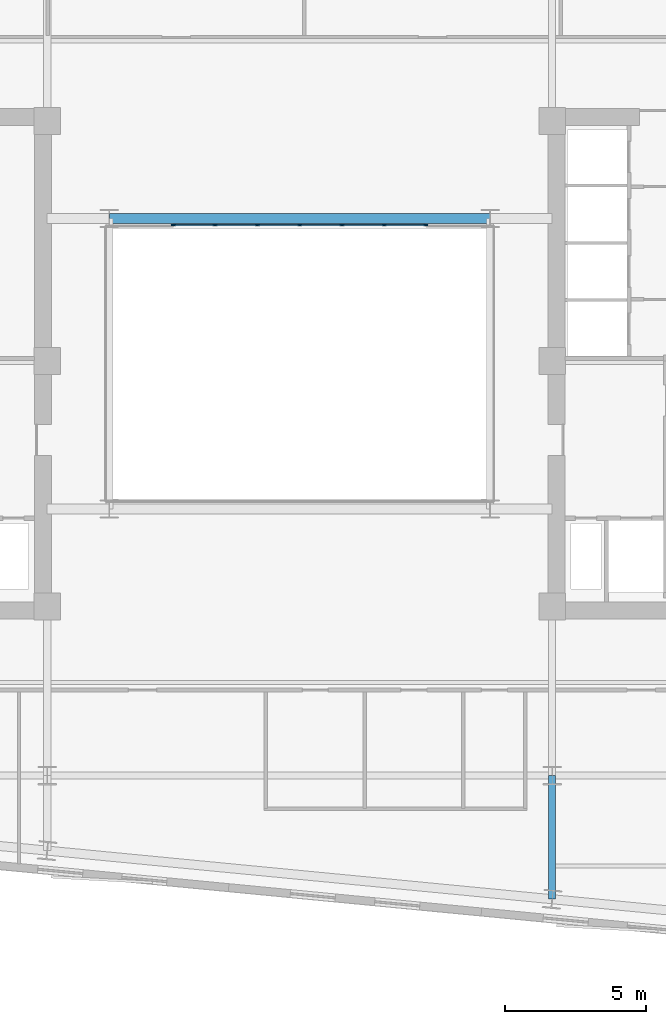
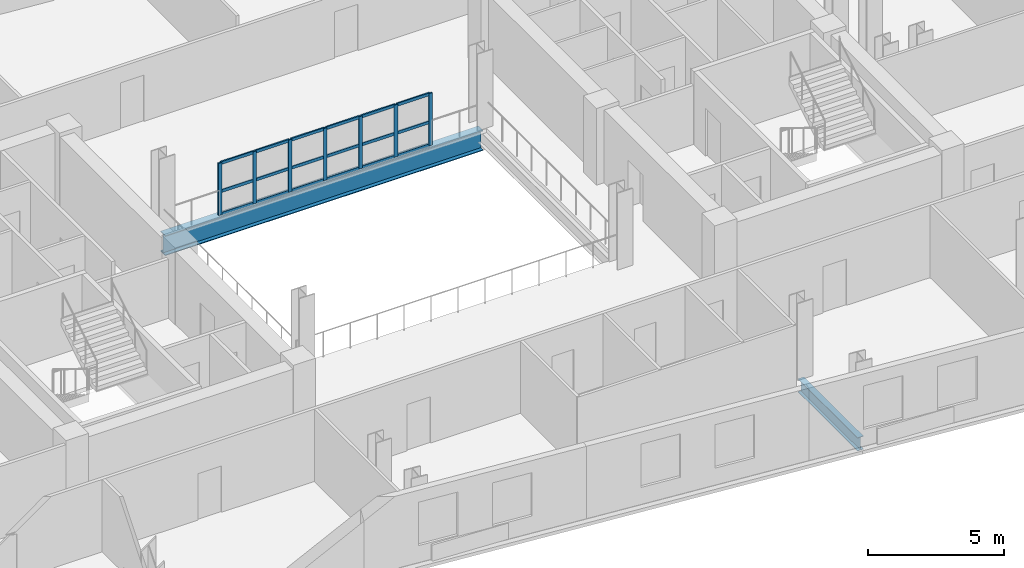
# One storey, part 2 of 10: 25 members, 2 beams, 1 element without a shape of its own.
"""IFC4 building model written with IfcOpenShell, lengths in metres."""

from ifc_helpers import new_model, si_unit, direction, frame, origin, origin_2d, place, context, subcontext, project, spatial, rectangle, i_section, extrude, material, layer, layer_set, material_profile, profile_set, type_object, element, aggregate, save


model = new_model("IFC4")

# Units and contexts
model_context = context("Model", 3, precision=1e-05, world=origin(), true_north=direction((0.0, 1.0)))
body_context = subcontext(model_context, "Body", "Model", "MODEL_VIEW")
ifc_project = project(units=[si_unit("LENGTHUNIT", "METRE"), si_unit("AREAUNIT", "SQUARE_METRE"), si_unit("VOLUMEUNIT", "CUBIC_METRE"), si_unit("PLANEANGLEUNIT", "RADIAN"), si_unit("MASSUNIT", "GRAM", prefix="KILO")], contexts=[model_context])

# Site, building, storey
site_placement = place(None, origin())
site = spatial("IfcSite", under=ifc_project, at=site_placement, CompositionType="ELEMENT")
building_placement = place(site_placement, origin())
building = spatial("IfcBuilding", under=site, at=building_placement, Name="Velakula Bourse", CompositionType="ELEMENT")
storey_placement = place(building_placement, frame((0.0, 0.0, 188.0)))
storey = spatial("IfcBuildingStorey", under=building, at=storey_placement, Name="L51", CompositionType="ELEMENT", Elevation=188.0)

# Beams
ifc_material_1 = material(Name="Steel IS 2062 Grade 350 (E350)", Category="steel")
ifc_material_profile_1 = material_profile(ifc_material_1, i_section(OverallWidth=0.25, OverallDepth=0.60009765625, WebThickness=0.01123046875, FlangeThickness=0.021240234375, at=origin_2d()), Name="Steel IS 2062 Grade 350 (E350)")
ifc_profile_set_1 = profile_set([ifc_material_profile_1], Name="Steel IS 2062 Grade 350 (E350)")
beam_type_1 = type_object("IfcBeamType", Name="BM-GRD-600M", PredefinedType="BEAM", material=ifc_profile_set_1)
beam_1_placement = place(storey_placement, frame((8.949951171875, -14.60009765625, -0.47998046875), z_axis=(0.0, -1.0, 0.0), x_axis=(1.0, 0.0, 0.0)))
element("IfcBeam", 1, at=beam_1_placement, inside=storey, type_object=beam_type_1, Name="L51 Perimeter Tie Girder S3", PredefinedType="BEAM", context=body_context, shape_type="SweptSolid", body=[
    extrude(i_section(OverallWidth=0.25, OverallDepth=0.60009765625, WebThickness=0.01123046875, FlangeThickness=0.021240234375, at=origin_2d()), origin(), (0.0, 0.0, 1.0), 4.38134765625),
])
ifc_material_profile_2 = material_profile(ifc_material_1, i_section(OverallWidth=0.35009765625, OverallDepth=0.89990234375, WebThickness=0.02001953125, FlangeThickness=0.031982421875, at=origin_2d()), Name="Steel IS 2062 Grade 350 (E350)")
ifc_profile_set_2 = profile_set([ifc_material_profile_2], Name="Steel IS 2062 Grade 350 (E350)")
beam_type_2 = type_object("IfcBeamType", Name="BM-LNK-900", PredefinedType="BEAM", material=ifc_profile_set_2)
beam_2_placement = place(storey_placement, frame((-6.75, 5.14990234375, -0.6298828125), z_axis=(1.0, 0.0, 0.0), x_axis=(0.0, 1.0, 0.0)))
element("IfcBeam", 2, at=beam_2_placement, inside=storey, type_object=beam_type_2, Name="L51 Primary Backbone Girder LNK-N2", PredefinedType="BEAM", context=body_context, shape_type="SweptSolid", body=[
    extrude(i_section(OverallWidth=0.35009765625, OverallDepth=0.89990234375, WebThickness=0.02001953125, FlangeThickness=0.031982421875, at=origin_2d()), origin(), (0.0, 0.0, 1.0), 13.5),
])

# Curtain wall, members
ifc_material_2 = material(Name="Anodised bronze architectural aluminium", Category="aluminium")
ifc_layer = layer(ifc_material_2, 0.14990234375, Name="Anodised bronze architectural aluminium", Category="aluminium")
ifc_layer_set = layer_set([ifc_layer], Name="Anodised bronze architectural aluminium")
curtain_wall_type = type_object("IfcCurtainWallType", Name="CW-AT1", PredefinedType="NOTDEFINED", material=ifc_layer_set)
curtain_wall_placement = place(storey_placement, origin())
curtain_wall = element("IfcCurtainWall", 3, at=curtain_wall_placement, inside=storey, type_object=curtain_wall_type, Name="L51 Central Trading Atrium Fire-Rated Glazed Screen", PredefinedType="NOTDEFINED")
ifc_material_profile_3 = material_profile(ifc_material_2, rectangle(XDim=0.06005859375, YDim=0.14990234375, at=origin_2d()), Name="Anodised bronze architectural aluminium")
ifc_profile_set_3 = profile_set([ifc_material_profile_3], Name="Anodised bronze architectural aluminium")
member_type_1 = type_object("IfcMemberType", Name="MUL-CW-AT1", PredefinedType="MULLION", material=ifc_profile_set_3)
member_1_placement = place(storey_placement, frame((-4.469970703125, 4.919921875, 0.0), z_axis=(0.0, 0.0, 1.0), x_axis=(0.0, 1.0, 0.0)))
member_1 = element("IfcMember", 4, at=member_1_placement, type_object=member_type_1, Name="CW-AT1 mullion 1", PredefinedType="MULLION", context=body_context, shape_type="SweptSolid", body=[
    extrude(rectangle(XDim=0.06005859375, YDim=0.14990234375, at=origin_2d()), origin(), (0.0, 0.0, 1.0), 2.344970703125),
])
member_2_placement = place(storey_placement, frame((-3.0, 4.919921875, 0.0), z_axis=(0.0, 0.0, 1.0), x_axis=(0.0, 1.0, 0.0)))
member_2 = element("IfcMember", 5, at=member_2_placement, type_object=member_type_1, Name="CW-AT1 mullion 2", PredefinedType="MULLION", context=body_context, shape_type="SweptSolid", body=[
    extrude(rectangle(XDim=0.06005859375, YDim=0.14990234375, at=origin_2d()), origin(), (0.0, 0.0, 1.0), 2.344970703125),
])
member_3_placement = place(storey_placement, frame((-1.5, 4.919921875, 0.0), z_axis=(0.0, 0.0, 1.0), x_axis=(0.0, 1.0, 0.0)))
member_3 = element("IfcMember", 6, at=member_3_placement, type_object=member_type_1, Name="CW-AT1 mullion 3", PredefinedType="MULLION", context=body_context, shape_type="SweptSolid", body=[
    extrude(rectangle(XDim=0.06005859375, YDim=0.14990234375, at=origin_2d()), origin(), (0.0, 0.0, 1.0), 2.344970703125),
])
member_4_placement = place(storey_placement, frame((0.0, 4.919921875, 0.0), z_axis=(0.0, 0.0, 1.0), x_axis=(0.0, 1.0, 0.0)))
member_4 = element("IfcMember", 7, at=member_4_placement, type_object=member_type_1, Name="CW-AT1 mullion 4", PredefinedType="MULLION", context=body_context, shape_type="SweptSolid", body=[
    extrude(rectangle(XDim=0.06005859375, YDim=0.14990234375, at=origin_2d()), origin(), (0.0, 0.0, 1.0), 2.344970703125),
])
member_5_placement = place(storey_placement, frame((1.5, 4.919921875, 0.0), z_axis=(0.0, 0.0, 1.0), x_axis=(0.0, 1.0, 0.0)))
member_5 = element("IfcMember", 8, at=member_5_placement, type_object=member_type_1, Name="CW-AT1 mullion 5", PredefinedType="MULLION", context=body_context, shape_type="SweptSolid", body=[
    extrude(rectangle(XDim=0.06005859375, YDim=0.14990234375, at=origin_2d()), origin(), (0.0, 0.0, 1.0), 2.344970703125),
])
member_6_placement = place(storey_placement, frame((3.0, 4.919921875, 0.0), z_axis=(0.0, 0.0, 1.0), x_axis=(0.0, 1.0, 0.0)))
member_6 = element("IfcMember", 9, at=member_6_placement, type_object=member_type_1, Name="CW-AT1 mullion 6", PredefinedType="MULLION", context=body_context, shape_type="SweptSolid", body=[
    extrude(rectangle(XDim=0.06005859375, YDim=0.14990234375, at=origin_2d()), origin(), (0.0, 0.0, 1.0), 2.344970703125),
])
member_7_placement = place(storey_placement, frame((4.469970703125, 4.919921875, 0.0), z_axis=(0.0, 0.0, 1.0), x_axis=(0.0, 1.0, 0.0)))
member_7 = element("IfcMember", 10, at=member_7_placement, type_object=member_type_1, Name="CW-AT1 mullion 7", PredefinedType="MULLION", context=body_context, shape_type="SweptSolid", body=[
    extrude(rectangle(XDim=0.06005859375, YDim=0.14990234375, at=origin_2d()), origin(), (0.0, 0.0, 1.0), 2.344970703125),
])
ifc_material_profile_4 = material_profile(ifc_material_2, rectangle(XDim=0.06005859375, YDim=0.1298828125, at=origin_2d()), Name="Anodised bronze architectural aluminium")
ifc_profile_set_4 = profile_set([ifc_material_profile_4], Name="Anodised bronze architectural aluminium")
member_type_2 = type_object("IfcMemberType", Name="TRN-CW-AT1", PredefinedType="USERDEFINED", material=ifc_profile_set_4)
member_8_placement = place(storey_placement, frame((-4.43994140625, 4.919921875, 0.030029296875), z_axis=(1.0, 0.0, 0.0), x_axis=(0.0, 1.0, 0.0)))
member_8 = element("IfcMember", 11, at=member_8_placement, type_object=member_type_2, Name="CW-AT1 transom 1.1", ObjectType="TRANSOM", PredefinedType="USERDEFINED", context=body_context, shape_type="SweptSolid", body=[
    extrude(rectangle(XDim=0.06005859375, YDim=0.1298828125, at=origin_2d()), origin(), (0.0, 0.0, 1.0), 1.409912109375),
])
member_9_placement = place(storey_placement, frame((-4.43994140625, 4.919921875, 1.055419921875), z_axis=(1.0, 0.0, 0.0), x_axis=(0.0, 1.0, 0.0)))
member_9 = element("IfcMember", 12, at=member_9_placement, type_object=member_type_2, Name="CW-AT1 transom 1.2", ObjectType="TRANSOM", PredefinedType="USERDEFINED", context=body_context, shape_type="SweptSolid", body=[
    extrude(rectangle(XDim=0.06005859375, YDim=0.1298828125, at=origin_2d()), origin(), (0.0, 0.0, 1.0), 1.409912109375),
])
member_10_placement = place(storey_placement, frame((-4.43994140625, 4.919921875, 2.31494140625), z_axis=(1.0, 0.0, 0.0), x_axis=(0.0, 1.0, 0.0)))
member_10 = element("IfcMember", 13, at=member_10_placement, type_object=member_type_2, Name="CW-AT1 transom 1.3", ObjectType="TRANSOM", PredefinedType="USERDEFINED", context=body_context, shape_type="SweptSolid", body=[
    extrude(rectangle(XDim=0.06005859375, YDim=0.1298828125, at=origin_2d()), origin(), (0.0, 0.0, 1.0), 1.409912109375),
])
member_11_placement = place(storey_placement, frame((-2.969970703125, 4.919921875, 0.030029296875), z_axis=(1.0, 0.0, 0.0), x_axis=(0.0, 1.0, 0.0)))
member_11 = element("IfcMember", 14, at=member_11_placement, type_object=member_type_2, Name="CW-AT1 transom 2.1", ObjectType="TRANSOM", PredefinedType="USERDEFINED", context=body_context, shape_type="SweptSolid", body=[
    extrude(rectangle(XDim=0.06005859375, YDim=0.1298828125, at=origin_2d()), origin(), (0.0, 0.0, 1.0), 1.43994140625),
])
member_12_placement = place(storey_placement, frame((-2.969970703125, 4.919921875, 1.055419921875), z_axis=(1.0, 0.0, 0.0), x_axis=(0.0, 1.0, 0.0)))
member_12 = element("IfcMember", 15, at=member_12_placement, type_object=member_type_2, Name="CW-AT1 transom 2.2", ObjectType="TRANSOM", PredefinedType="USERDEFINED", context=body_context, shape_type="SweptSolid", body=[
    extrude(rectangle(XDim=0.06005859375, YDim=0.1298828125, at=origin_2d()), origin(), (0.0, 0.0, 1.0), 1.43994140625),
])
member_13_placement = place(storey_placement, frame((-2.969970703125, 4.919921875, 2.31494140625), z_axis=(1.0, 0.0, 0.0), x_axis=(0.0, 1.0, 0.0)))
member_13 = element("IfcMember", 16, at=member_13_placement, type_object=member_type_2, Name="CW-AT1 transom 2.3", ObjectType="TRANSOM", PredefinedType="USERDEFINED", context=body_context, shape_type="SweptSolid", body=[
    extrude(rectangle(XDim=0.06005859375, YDim=0.1298828125, at=origin_2d()), origin(), (0.0, 0.0, 1.0), 1.43994140625),
])
member_14_placement = place(storey_placement, frame((-1.469970703125, 4.919921875, 0.030029296875), z_axis=(1.0, 0.0, 0.0), x_axis=(0.0, 1.0, 0.0)))
member_14 = element("IfcMember", 17, at=member_14_placement, type_object=member_type_2, Name="CW-AT1 transom 3.1", ObjectType="TRANSOM", PredefinedType="USERDEFINED", context=body_context, shape_type="SweptSolid", body=[
    extrude(rectangle(XDim=0.06005859375, YDim=0.1298828125, at=origin_2d()), origin(), (0.0, 0.0, 1.0), 1.43994140625),
])
member_15_placement = place(storey_placement, frame((-1.469970703125, 4.919921875, 1.055419921875), z_axis=(1.0, 0.0, 0.0), x_axis=(0.0, 1.0, 0.0)))
member_15 = element("IfcMember", 18, at=member_15_placement, type_object=member_type_2, Name="CW-AT1 transom 3.2", ObjectType="TRANSOM", PredefinedType="USERDEFINED", context=body_context, shape_type="SweptSolid", body=[
    extrude(rectangle(XDim=0.06005859375, YDim=0.1298828125, at=origin_2d()), origin(), (0.0, 0.0, 1.0), 1.43994140625),
])
member_16_placement = place(storey_placement, frame((-1.469970703125, 4.919921875, 2.31494140625), z_axis=(1.0, 0.0, 0.0), x_axis=(0.0, 1.0, 0.0)))
member_16 = element("IfcMember", 19, at=member_16_placement, type_object=member_type_2, Name="CW-AT1 transom 3.3", ObjectType="TRANSOM", PredefinedType="USERDEFINED", context=body_context, shape_type="SweptSolid", body=[
    extrude(rectangle(XDim=0.06005859375, YDim=0.1298828125, at=origin_2d()), origin(), (0.0, 0.0, 1.0), 1.43994140625),
])
member_17_placement = place(storey_placement, frame((0.030029296875, 4.919921875, 0.030029296875), z_axis=(1.0, 0.0, 0.0), x_axis=(0.0, 1.0, 0.0)))
member_17 = element("IfcMember", 20, at=member_17_placement, type_object=member_type_2, Name="CW-AT1 transom 4.1", ObjectType="TRANSOM", PredefinedType="USERDEFINED", context=body_context, shape_type="SweptSolid", body=[
    extrude(rectangle(XDim=0.06005859375, YDim=0.1298828125, at=origin_2d()), origin(), (0.0, 0.0, 1.0), 1.43994140625),
])
member_18_placement = place(storey_placement, frame((0.030029296875, 4.919921875, 1.055419921875), z_axis=(1.0, 0.0, 0.0), x_axis=(0.0, 1.0, 0.0)))
member_18 = element("IfcMember", 21, at=member_18_placement, type_object=member_type_2, Name="CW-AT1 transom 4.2", ObjectType="TRANSOM", PredefinedType="USERDEFINED", context=body_context, shape_type="SweptSolid", body=[
    extrude(rectangle(XDim=0.06005859375, YDim=0.1298828125, at=origin_2d()), origin(), (0.0, 0.0, 1.0), 1.43994140625),
])
member_19_placement = place(storey_placement, frame((0.030029296875, 4.919921875, 2.31494140625), z_axis=(1.0, 0.0, 0.0), x_axis=(0.0, 1.0, 0.0)))
member_19 = element("IfcMember", 22, at=member_19_placement, type_object=member_type_2, Name="CW-AT1 transom 4.3", ObjectType="TRANSOM", PredefinedType="USERDEFINED", context=body_context, shape_type="SweptSolid", body=[
    extrude(rectangle(XDim=0.06005859375, YDim=0.1298828125, at=origin_2d()), origin(), (0.0, 0.0, 1.0), 1.43994140625),
])
member_20_placement = place(storey_placement, frame((1.530029296875, 4.919921875, 0.030029296875), z_axis=(1.0, 0.0, 0.0), x_axis=(0.0, 1.0, 0.0)))
member_20 = element("IfcMember", 23, at=member_20_placement, type_object=member_type_2, Name="CW-AT1 transom 5.1", ObjectType="TRANSOM", PredefinedType="USERDEFINED", context=body_context, shape_type="SweptSolid", body=[
    extrude(rectangle(XDim=0.06005859375, YDim=0.1298828125, at=origin_2d()), origin(), (0.0, 0.0, 1.0), 1.43994140625),
])
member_21_placement = place(storey_placement, frame((1.530029296875, 4.919921875, 1.055419921875), z_axis=(1.0, 0.0, 0.0), x_axis=(0.0, 1.0, 0.0)))
member_21 = element("IfcMember", 24, at=member_21_placement, type_object=member_type_2, Name="CW-AT1 transom 5.2", ObjectType="TRANSOM", PredefinedType="USERDEFINED", context=body_context, shape_type="SweptSolid", body=[
    extrude(rectangle(XDim=0.06005859375, YDim=0.1298828125, at=origin_2d()), origin(), (0.0, 0.0, 1.0), 1.43994140625),
])
member_22_placement = place(storey_placement, frame((1.530029296875, 4.919921875, 2.31494140625), z_axis=(1.0, 0.0, 0.0), x_axis=(0.0, 1.0, 0.0)))
member_22 = element("IfcMember", 25, at=member_22_placement, type_object=member_type_2, Name="CW-AT1 transom 5.3", ObjectType="TRANSOM", PredefinedType="USERDEFINED", context=body_context, shape_type="SweptSolid", body=[
    extrude(rectangle(XDim=0.06005859375, YDim=0.1298828125, at=origin_2d()), origin(), (0.0, 0.0, 1.0), 1.43994140625),
])
member_23_placement = place(storey_placement, frame((3.030029296875, 4.919921875, 0.030029296875), z_axis=(1.0, 0.0, 0.0), x_axis=(0.0, 1.0, 0.0)))
member_23 = element("IfcMember", 26, at=member_23_placement, type_object=member_type_2, Name="CW-AT1 transom 6.1", ObjectType="TRANSOM", PredefinedType="USERDEFINED", context=body_context, shape_type="SweptSolid", body=[
    extrude(rectangle(XDim=0.06005859375, YDim=0.1298828125, at=origin_2d()), origin(), (0.0, 0.0, 1.0), 1.409912109375),
])
member_24_placement = place(storey_placement, frame((3.030029296875, 4.919921875, 1.055419921875), z_axis=(1.0, 0.0, 0.0), x_axis=(0.0, 1.0, 0.0)))
member_24 = element("IfcMember", 27, at=member_24_placement, type_object=member_type_2, Name="CW-AT1 transom 6.2", ObjectType="TRANSOM", PredefinedType="USERDEFINED", context=body_context, shape_type="SweptSolid", body=[
    extrude(rectangle(XDim=0.06005859375, YDim=0.1298828125, at=origin_2d()), origin(), (0.0, 0.0, 1.0), 1.409912109375),
])
member_25_placement = place(storey_placement, frame((3.030029296875, 4.919921875, 2.31494140625), z_axis=(1.0, 0.0, 0.0), x_axis=(0.0, 1.0, 0.0)))
member_25 = element("IfcMember", 28, at=member_25_placement, type_object=member_type_2, Name="CW-AT1 transom 6.3", ObjectType="TRANSOM", PredefinedType="USERDEFINED", context=body_context, shape_type="SweptSolid", body=[
    extrude(rectangle(XDim=0.06005859375, YDim=0.1298828125, at=origin_2d()), origin(), (0.0, 0.0, 1.0), 1.409912109375),
])
aggregate(curtain_wall, [member_1, member_2, member_3, member_4, member_5, member_6, member_7, member_8, member_9, member_10, member_11, member_12, member_13, member_14, member_15, member_16, member_17, member_18, member_19, member_20, member_21, member_22, member_23, member_24, member_25])

save(model, "model.ifc")
